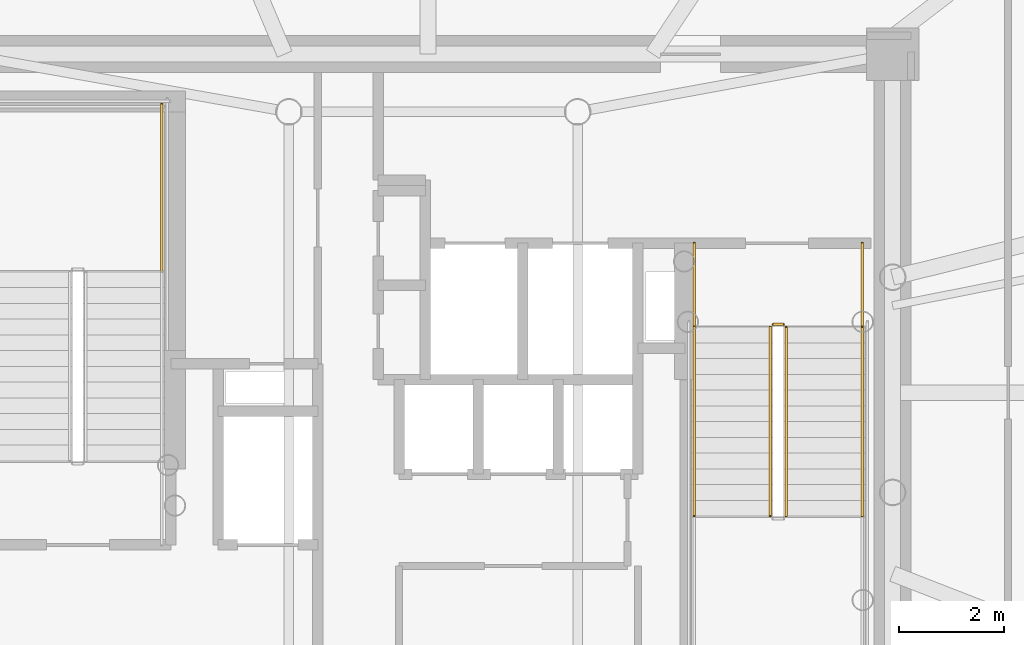
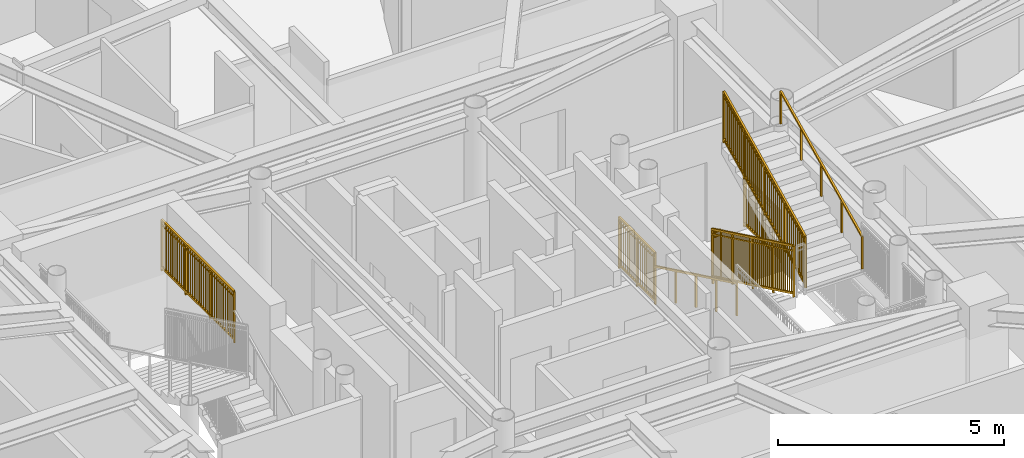
# One storey, part 17 of 18: 8 railings.
"""IFC4 building model written with IfcOpenShell, lengths in metres."""

from ifc_helpers import new_model, si_unit, direction, frame, origin, origin_2d, place, context, subcontext, project, spatial, rectangle, extrude, source, transform, mapped, material, type_object, element, save


model = new_model("IFC4")

# Units and contexts
model_context = context("Model", 3, precision=1e-05, world=origin(), true_north=direction((0.0, 1.0)))
body_context = subcontext(model_context, "Body", "Model", "MODEL_VIEW")
ifc_project = project(units=[si_unit("LENGTHUNIT", "METRE"), si_unit("AREAUNIT", "SQUARE_METRE"), si_unit("VOLUMEUNIT", "CUBIC_METRE"), si_unit("PLANEANGLEUNIT", "RADIAN"), si_unit("MASSUNIT", "GRAM", prefix="KILO")], contexts=[model_context])

# Site, building, storey
site_placement = place(None, origin())
site = spatial("IfcSite", under=ifc_project, at=site_placement, CompositionType="ELEMENT")
building_placement = place(site_placement, origin())
building = spatial("IfcBuilding", under=site, at=building_placement, Name="Linh Dai School and Residence Tower", CompositionType="ELEMENT")
storey_placement = place(building_placement, frame((0.0, 0.0, 291.75)))
storey = spatial("IfcBuildingStorey", under=building, at=storey_placement, Name="L72", CompositionType="ELEMENT", Elevation=291.75)

# Railings
ifc_material_1 = material(Name="Structural Steel S355JR", Category="steel")
railing_type_1 = type_object("IfcRailingType", Name="RL-ST-GUARD-1400", PredefinedType="GUARDRAIL", material=ifc_material_1)
shared_shape_1 = source(origin(), body_context, "Body", "SweptSolid", [
    extrude(rectangle(XDim=0.048095703125, YDim=0.048095703125, at=origin_2d()), frame((0.0, 0.0, 1.3759765625), z_axis=(0.0, 0.901262522062, 0.433273431364), x_axis=(-1.0, 0.0, 0.0)), (0.0, 0.0, 1.0), 3.994384765625),
    extrude(rectangle(XDim=0.048095703125, YDim=0.048095703125, at=origin_2d()), frame((0.0, 0.0, 0.10009765625), z_axis=(0.0, 0.901262522062, 0.433273431364), x_axis=(-1.0, 0.0, 0.0)), (0.0, 0.0, 1.0), 3.994384765625),
    extrude(rectangle(XDim=0.030029296875, YDim=0.030029296875, at=origin_2d()), frame((0.0, 0.0, 1.239990234375), z_axis=(0.0, 0.901262522062, 0.433273431364), x_axis=(-1.0, 0.0, 0.0)), (0.0, 0.0, 1.0), 3.994384765625),
    extrude(rectangle(XDim=0.02001953125, YDim=0.02001953125, at=origin_2d()), frame((0.0, 0.087890625, 0.142333984375)), (0.0, 0.0, 1.0), 1.251708984375),
    extrude(rectangle(XDim=0.02001953125, YDim=0.02001953125, at=origin_2d()), frame((0.0, 0.175537109375, 0.1845703125)), (0.0, 0.0, 1.0), 1.251708984375),
    extrude(rectangle(XDim=0.02001953125, YDim=0.02001953125, at=origin_2d()), frame((0.0, 0.263427734375, 0.226806640625)), (0.0, 0.0, 1.0), 1.251708984375),
    extrude(rectangle(XDim=0.02001953125, YDim=0.02001953125, at=origin_2d()), frame((0.0, 0.351318359375, 0.26904296875)), (0.0, 0.0, 1.0), 1.251708984375),
    extrude(rectangle(XDim=0.02001953125, YDim=0.02001953125, at=origin_2d()), frame((0.0, 0.43896484375, 0.311279296875)), (0.0, 0.0, 1.0), 1.251708984375),
    extrude(rectangle(XDim=0.02001953125, YDim=0.02001953125, at=origin_2d()), frame((0.0, 0.52685546875, 0.353271484375)), (0.0, 0.0, 1.0), 1.251708984375),
    extrude(rectangle(XDim=0.02001953125, YDim=0.02001953125, at=origin_2d()), frame((0.0, 0.61474609375, 0.3955078125)), (0.0, 0.0, 1.0), 1.251708984375),
    extrude(rectangle(XDim=0.02001953125, YDim=0.02001953125, at=origin_2d()), frame((0.0, 0.702392578125, 0.437744140625)), (0.0, 0.0, 1.0), 1.251708984375),
    extrude(rectangle(XDim=0.02001953125, YDim=0.02001953125, at=origin_2d()), frame((0.0, 0.790283203125, 0.47998046875)), (0.0, 0.0, 1.0), 1.251708984375),
    extrude(rectangle(XDim=0.02001953125, YDim=0.02001953125, at=origin_2d()), frame((0.0, 0.9658203125, 0.564453125)), (0.0, 0.0, 1.0), 1.251708984375),
    extrude(rectangle(XDim=0.02001953125, YDim=0.02001953125, at=origin_2d()), frame((0.0, 1.0537109375, 0.606689453125)), (0.0, 0.0, 1.0), 1.251708984375),
    extrude(rectangle(XDim=0.02001953125, YDim=0.02001953125, at=origin_2d()), frame((0.0, 1.1416015625, 0.64892578125)), (0.0, 0.0, 1.0), 1.251708984375),
    extrude(rectangle(XDim=0.02001953125, YDim=0.02001953125, at=origin_2d()), frame((0.0, 1.229248046875, 0.691162109375)), (0.0, 0.0, 1.0), 1.251708984375),
    extrude(rectangle(XDim=0.02001953125, YDim=0.02001953125, at=origin_2d()), frame((0.0, 1.317138671875, 0.7333984375)), (0.0, 0.0, 1.0), 1.251708984375),
    extrude(rectangle(XDim=0.02001953125, YDim=0.02001953125, at=origin_2d()), frame((0.0, 1.405029296875, 0.775390625)), (0.0, 0.0, 1.0), 1.251708984375),
    extrude(rectangle(XDim=0.02001953125, YDim=0.02001953125, at=origin_2d()), frame((0.0, 1.49267578125, 0.817626953125)), (0.0, 0.0, 1.0), 1.251708984375),
    extrude(rectangle(XDim=0.02001953125, YDim=0.02001953125, at=origin_2d()), frame((0.0, 1.58056640625, 0.85986328125)), (0.0, 0.0, 1.0), 1.251708984375),
    extrude(rectangle(XDim=0.02001953125, YDim=0.02001953125, at=origin_2d()), frame((0.0, 1.66845703125, 0.902099609375)), (0.0, 0.0, 1.0), 1.251708984375),
    extrude(rectangle(XDim=0.02001953125, YDim=0.02001953125, at=origin_2d()), frame((0.0, 1.756103515625, 0.9443359375)), (0.0, 0.0, 1.0), 1.251708984375),
    extrude(rectangle(XDim=0.02001953125, YDim=0.02001953125, at=origin_2d()), frame((0.0, 1.843994140625, 0.986572265625)), (0.0, 0.0, 1.0), 1.251708984375),
    extrude(rectangle(XDim=0.02001953125, YDim=0.02001953125, at=origin_2d()), frame((0.0, 1.931640625, 1.02880859375)), (0.0, 0.0, 1.0), 1.251708984375),
    extrude(rectangle(XDim=0.02001953125, YDim=0.02001953125, at=origin_2d()), frame((0.0, 2.01953125, 1.071044921875)), (0.0, 0.0, 1.0), 1.251708984375),
    extrude(rectangle(XDim=0.02001953125, YDim=0.02001953125, at=origin_2d()), frame((0.0, 2.107421875, 1.11328125)), (0.0, 0.0, 1.0), 1.251708984375),
    extrude(rectangle(XDim=0.02001953125, YDim=0.02001953125, at=origin_2d()), frame((0.0, 2.195068359375, 1.155517578125)), (0.0, 0.0, 1.0), 1.251708984375),
    extrude(rectangle(XDim=0.02001953125, YDim=0.02001953125, at=origin_2d()), frame((0.0, 2.282958984375, 1.197509765625)), (0.0, 0.0, 1.0), 1.251708984375),
    extrude(rectangle(XDim=0.02001953125, YDim=0.02001953125, at=origin_2d()), frame((0.0, 2.370849609375, 1.23974609375)), (0.0, 0.0, 1.0), 1.251708984375),
    extrude(rectangle(XDim=0.02001953125, YDim=0.02001953125, at=origin_2d()), frame((0.0, 2.45849609375, 1.281982421875)), (0.0, 0.0, 1.0), 1.251708984375),
    extrude(rectangle(XDim=0.02001953125, YDim=0.02001953125, at=origin_2d()), frame((0.0, 2.54638671875, 1.32421875)), (0.0, 0.0, 1.0), 1.251708984375),
    extrude(rectangle(XDim=0.02001953125, YDim=0.02001953125, at=origin_2d()), frame((0.0, 2.63427734375, 1.366455078125)), (0.0, 0.0, 1.0), 1.251708984375),
    extrude(rectangle(XDim=0.02001953125, YDim=0.02001953125, at=origin_2d()), frame((0.0, 2.809814453125, 1.450927734375)), (0.0, 0.0, 1.0), 1.251708984375),
    extrude(rectangle(XDim=0.02001953125, YDim=0.02001953125, at=origin_2d()), frame((0.0, 2.897705078125, 1.4931640625)), (0.0, 0.0, 1.0), 1.251708984375),
    extrude(rectangle(XDim=0.02001953125, YDim=0.02001953125, at=origin_2d()), frame((0.0, 2.9853515625, 1.535400390625)), (0.0, 0.0, 1.0), 1.251708984375),
    extrude(rectangle(XDim=0.02001953125, YDim=0.02001953125, at=origin_2d()), frame((0.0, 3.0732421875, 1.57763671875)), (0.0, 0.0, 1.0), 1.251708984375),
    extrude(rectangle(XDim=0.02001953125, YDim=0.02001953125, at=origin_2d()), frame((0.0, 3.1611328125, 1.61962890625)), (0.0, 0.0, 1.0), 1.251708984375),
    extrude(rectangle(XDim=0.02001953125, YDim=0.02001953125, at=origin_2d()), frame((0.0, 3.248779296875, 1.661865234375)), (0.0, 0.0, 1.0), 1.251708984375),
    extrude(rectangle(XDim=0.02001953125, YDim=0.02001953125, at=origin_2d()), frame((0.0, 3.336669921875, 1.7041015625)), (0.0, 0.0, 1.0), 1.251708984375),
    extrude(rectangle(XDim=0.02001953125, YDim=0.02001953125, at=origin_2d()), frame((0.0, 3.424560546875, 1.746337890625)), (0.0, 0.0, 1.0), 1.251708984375),
    extrude(rectangle(XDim=0.02001953125, YDim=0.02001953125, at=origin_2d()), frame((0.0, 3.51220703125, 1.78857421875)), (0.0, 0.0, 1.0), 1.251708984375),
    extrude(rectangle(XDim=0.0419921875, YDim=0.0419921875, at=origin_2d()), origin(), (0.0, 0.0, 1.0), 1.3759765625),
    extrude(rectangle(XDim=0.0419921875, YDim=0.0419921875, at=origin_2d()), frame((0.0, 0.89990234375, 0.4326171875)), (0.0, 0.0, 1.0), 1.3759765625),
    extrude(rectangle(XDim=0.0419921875, YDim=0.0419921875, at=origin_2d()), frame((0.0, 1.800048828125, 0.865234375)), (0.0, 0.0, 1.0), 1.3759765625),
    extrude(rectangle(XDim=0.0419921875, YDim=0.0419921875, at=origin_2d()), frame((0.0, 2.7001953125, 1.298095703125)), (0.0, 0.0, 1.0), 1.3759765625),
    extrude(rectangle(XDim=0.0419921875, YDim=0.0419921875, at=origin_2d()), frame((0.0, 3.60009765625, 1.730712890625)), (0.0, 0.0, 1.0), 1.3759765625),
])
railing_1_placement = place(storey_placement, frame((42.820068359375, 24.64990234375, 2.019287109375)))
element("IfcRailing", 1, at=railing_1_placement, inside=storey, type_object=railing_type_1, Name="L72 ST2 stair guard 6", PredefinedType="GUARDRAIL", context=body_context, shape_type="MappedRepresentation", body=[
    mapped(shared_shape_1, transform((0.0, 0.0, 0.0), x_axis=(1.0, 0.0, 0.0), y_axis=(0.0, 1.0, 0.0), z_axis=(0.0, 0.0, 1.0), scale=1.0)),
])
shared_shape_2 = source(origin(), body_context, "Body", "SweptSolid", [
    extrude(rectangle(XDim=0.048095703125, YDim=0.048095703125, at=origin_2d()), frame((0.0, 0.0, 1.3759765625), z_axis=(0.0, 1.0, 0.0), x_axis=(-1.0, 0.0, 0.0)), (0.0, 0.0, 1.0), 3.199951171875),
    extrude(rectangle(XDim=0.048095703125, YDim=0.048095703125, at=origin_2d()), frame((0.0, 0.0, 0.10009765625), z_axis=(0.0, 1.0, 0.0), x_axis=(-1.0, 0.0, 0.0)), (0.0, 0.0, 1.0), 3.199951171875),
    extrude(rectangle(XDim=0.030029296875, YDim=0.030029296875, at=origin_2d()), frame((0.0, 0.0, 1.239990234375), z_axis=(0.0, 1.0, 0.0), x_axis=(-1.0, 0.0, 0.0)), (0.0, 0.0, 1.0), 3.199951171875),
    extrude(rectangle(XDim=0.02001953125, YDim=0.02001953125, at=origin_2d()), frame((0.0, 0.096923828125, 0.10009765625)), (0.0, 0.0, 1.0), 1.251708984375),
    extrude(rectangle(XDim=0.02001953125, YDim=0.02001953125, at=origin_2d()), frame((0.0, 0.19384765625, 0.10009765625)), (0.0, 0.0, 1.0), 1.251708984375),
    extrude(rectangle(XDim=0.02001953125, YDim=0.02001953125, at=origin_2d()), frame((0.0, 0.291015625, 0.10009765625)), (0.0, 0.0, 1.0), 1.251708984375),
    extrude(rectangle(XDim=0.02001953125, YDim=0.02001953125, at=origin_2d()), frame((0.0, 0.387939453125, 0.10009765625)), (0.0, 0.0, 1.0), 1.251708984375),
    extrude(rectangle(XDim=0.02001953125, YDim=0.02001953125, at=origin_2d()), frame((0.0, 0.48486328125, 0.10009765625)), (0.0, 0.0, 1.0), 1.251708984375),
    extrude(rectangle(XDim=0.02001953125, YDim=0.02001953125, at=origin_2d()), frame((0.0, 0.581787109375, 0.10009765625)), (0.0, 0.0, 1.0), 1.251708984375),
    extrude(rectangle(XDim=0.02001953125, YDim=0.02001953125, at=origin_2d()), frame((0.0, 0.6787109375, 0.10009765625)), (0.0, 0.0, 1.0), 1.251708984375),
    extrude(rectangle(XDim=0.02001953125, YDim=0.02001953125, at=origin_2d()), frame((0.0, 0.775634765625, 0.10009765625)), (0.0, 0.0, 1.0), 1.251708984375),
    extrude(rectangle(XDim=0.02001953125, YDim=0.02001953125, at=origin_2d()), frame((0.0, 0.872802734375, 0.10009765625)), (0.0, 0.0, 1.0), 1.251708984375),
    extrude(rectangle(XDim=0.02001953125, YDim=0.02001953125, at=origin_2d()), frame((0.0, 0.9697265625, 0.10009765625)), (0.0, 0.0, 1.0), 1.251708984375),
    extrude(rectangle(XDim=0.02001953125, YDim=0.02001953125, at=origin_2d()), frame((0.0, 1.16357421875, 0.10009765625)), (0.0, 0.0, 1.0), 1.251708984375),
    extrude(rectangle(XDim=0.02001953125, YDim=0.02001953125, at=origin_2d()), frame((0.0, 1.260498046875, 0.10009765625)), (0.0, 0.0, 1.0), 1.251708984375),
    extrude(rectangle(XDim=0.02001953125, YDim=0.02001953125, at=origin_2d()), frame((0.0, 1.357666015625, 0.10009765625)), (0.0, 0.0, 1.0), 1.251708984375),
    extrude(rectangle(XDim=0.02001953125, YDim=0.02001953125, at=origin_2d()), frame((0.0, 1.45458984375, 0.10009765625)), (0.0, 0.0, 1.0), 1.251708984375),
    extrude(rectangle(XDim=0.02001953125, YDim=0.02001953125, at=origin_2d()), frame((0.0, 1.551513671875, 0.10009765625)), (0.0, 0.0, 1.0), 1.251708984375),
    extrude(rectangle(XDim=0.02001953125, YDim=0.02001953125, at=origin_2d()), frame((0.0, 1.6484375, 0.10009765625)), (0.0, 0.0, 1.0), 1.251708984375),
    extrude(rectangle(XDim=0.02001953125, YDim=0.02001953125, at=origin_2d()), frame((0.0, 1.745361328125, 0.10009765625)), (0.0, 0.0, 1.0), 1.251708984375),
    extrude(rectangle(XDim=0.02001953125, YDim=0.02001953125, at=origin_2d()), frame((0.0, 1.84228515625, 0.10009765625)), (0.0, 0.0, 1.0), 1.251708984375),
    extrude(rectangle(XDim=0.02001953125, YDim=0.02001953125, at=origin_2d()), frame((0.0, 1.939453125, 0.10009765625)), (0.0, 0.0, 1.0), 1.251708984375),
    extrude(rectangle(XDim=0.02001953125, YDim=0.02001953125, at=origin_2d()), frame((0.0, 2.036376953125, 0.10009765625)), (0.0, 0.0, 1.0), 1.251708984375),
    extrude(rectangle(XDim=0.02001953125, YDim=0.02001953125, at=origin_2d()), frame((0.0, 2.230224609375, 0.10009765625)), (0.0, 0.0, 1.0), 1.251708984375),
    extrude(rectangle(XDim=0.02001953125, YDim=0.02001953125, at=origin_2d()), frame((0.0, 2.3271484375, 0.10009765625)), (0.0, 0.0, 1.0), 1.251708984375),
    extrude(rectangle(XDim=0.02001953125, YDim=0.02001953125, at=origin_2d()), frame((0.0, 2.42431640625, 0.10009765625)), (0.0, 0.0, 1.0), 1.251708984375),
    extrude(rectangle(XDim=0.02001953125, YDim=0.02001953125, at=origin_2d()), frame((0.0, 2.521240234375, 0.10009765625)), (0.0, 0.0, 1.0), 1.251708984375),
    extrude(rectangle(XDim=0.02001953125, YDim=0.02001953125, at=origin_2d()), frame((0.0, 2.6181640625, 0.10009765625)), (0.0, 0.0, 1.0), 1.251708984375),
    extrude(rectangle(XDim=0.02001953125, YDim=0.02001953125, at=origin_2d()), frame((0.0, 2.715087890625, 0.10009765625)), (0.0, 0.0, 1.0), 1.251708984375),
    extrude(rectangle(XDim=0.02001953125, YDim=0.02001953125, at=origin_2d()), frame((0.0, 2.81201171875, 0.10009765625)), (0.0, 0.0, 1.0), 1.251708984375),
    extrude(rectangle(XDim=0.02001953125, YDim=0.02001953125, at=origin_2d()), frame((0.0, 2.908935546875, 0.10009765625)), (0.0, 0.0, 1.0), 1.251708984375),
    extrude(rectangle(XDim=0.02001953125, YDim=0.02001953125, at=origin_2d()), frame((0.0, 3.006103515625, 0.10009765625)), (0.0, 0.0, 1.0), 1.251708984375),
    extrude(rectangle(XDim=0.02001953125, YDim=0.02001953125, at=origin_2d()), frame((0.0, 3.10302734375, 0.10009765625)), (0.0, 0.0, 1.0), 1.251708984375),
    extrude(rectangle(XDim=0.0419921875, YDim=0.0419921875, at=origin_2d()), origin(), (0.0, 0.0, 1.0), 1.3759765625),
    extrude(rectangle(XDim=0.0419921875, YDim=0.0419921875, at=origin_2d()), frame((0.0, 1.066650390625, 0.0)), (0.0, 0.0, 1.0), 1.3759765625),
    extrude(rectangle(XDim=0.0419921875, YDim=0.0419921875, at=origin_2d()), frame((0.0, 2.13330078125, 0.0)), (0.0, 0.0, 1.0), 1.3759765625),
    extrude(rectangle(XDim=0.0419921875, YDim=0.0419921875, at=origin_2d()), frame((0.0, 3.199951171875, 0.0)), (0.0, 0.0, 1.0), 1.3759765625),
])
railing_2_placement = place(storey_placement, frame((30.929931640625, 29.300048828125, 1.875)))
element("IfcRailing", 2, at=railing_2_placement, inside=storey, type_object=railing_type_1, Name="L72 ST1 stair guard 3", PredefinedType="GUARDRAIL", context=body_context, shape_type="MappedRepresentation", body=[
    mapped(shared_shape_2, transform((0.0, 0.0, 0.0), x_axis=(1.0, 0.0, 0.0), y_axis=(0.0, 1.0, 0.0), z_axis=(0.0, 0.0, 1.0), scale=1.0)),
])
shared_shape_3 = source(origin(), body_context, "Body", "SweptSolid", [
    extrude(rectangle(XDim=0.048095703125, YDim=0.048095703125, at=origin_2d()), frame((0.0, 0.0, 1.3759765625), z_axis=(0.0, -0.901262522062, 0.433273431364), x_axis=(1.0, 0.0, 0.0)), (0.0, 0.0, 1.0), 3.994384765625),
    extrude(rectangle(XDim=0.048095703125, YDim=0.048095703125, at=origin_2d()), frame((0.0, 0.0, 0.10009765625), z_axis=(0.0, -0.901262522062, 0.433273431364), x_axis=(1.0, 0.0, 0.0)), (0.0, 0.0, 1.0), 3.994384765625),
    extrude(rectangle(XDim=0.030029296875, YDim=0.030029296875, at=origin_2d()), frame((0.0, 0.0, 1.239990234375), z_axis=(0.0, -0.901262522062, 0.433273431364), x_axis=(1.0, 0.0, 0.0)), (0.0, 0.0, 1.0), 3.994384765625),
    extrude(rectangle(XDim=0.02001953125, YDim=0.02001953125, at=origin_2d()), frame((0.0, -0.087890625, 0.142333984375)), (0.0, 0.0, 1.0), 1.251708984375),
    extrude(rectangle(XDim=0.02001953125, YDim=0.02001953125, at=origin_2d()), frame((0.0, -0.175537109375, 0.1845703125)), (0.0, 0.0, 1.0), 1.251708984375),
    extrude(rectangle(XDim=0.02001953125, YDim=0.02001953125, at=origin_2d()), frame((0.0, -0.263427734375, 0.226806640625)), (0.0, 0.0, 1.0), 1.251708984375),
    extrude(rectangle(XDim=0.02001953125, YDim=0.02001953125, at=origin_2d()), frame((0.0, -0.351318359375, 0.26904296875)), (0.0, 0.0, 1.0), 1.251708984375),
    extrude(rectangle(XDim=0.02001953125, YDim=0.02001953125, at=origin_2d()), frame((0.0, -0.43896484375, 0.311279296875)), (0.0, 0.0, 1.0), 1.251708984375),
    extrude(rectangle(XDim=0.02001953125, YDim=0.02001953125, at=origin_2d()), frame((0.0, -0.52685546875, 0.353271484375)), (0.0, 0.0, 1.0), 1.251708984375),
    extrude(rectangle(XDim=0.02001953125, YDim=0.02001953125, at=origin_2d()), frame((0.0, -0.61474609375, 0.3955078125)), (0.0, 0.0, 1.0), 1.251708984375),
    extrude(rectangle(XDim=0.02001953125, YDim=0.02001953125, at=origin_2d()), frame((0.0, -0.702392578125, 0.437744140625)), (0.0, 0.0, 1.0), 1.251708984375),
    extrude(rectangle(XDim=0.02001953125, YDim=0.02001953125, at=origin_2d()), frame((0.0, -0.790283203125, 0.47998046875)), (0.0, 0.0, 1.0), 1.251708984375),
    extrude(rectangle(XDim=0.02001953125, YDim=0.02001953125, at=origin_2d()), frame((0.0, -0.9658203125, 0.564453125)), (0.0, 0.0, 1.0), 1.251708984375),
    extrude(rectangle(XDim=0.02001953125, YDim=0.02001953125, at=origin_2d()), frame((0.0, -1.0537109375, 0.606689453125)), (0.0, 0.0, 1.0), 1.251708984375),
    extrude(rectangle(XDim=0.02001953125, YDim=0.02001953125, at=origin_2d()), frame((0.0, -1.1416015625, 0.64892578125)), (0.0, 0.0, 1.0), 1.251708984375),
    extrude(rectangle(XDim=0.02001953125, YDim=0.02001953125, at=origin_2d()), frame((0.0, -1.229248046875, 0.691162109375)), (0.0, 0.0, 1.0), 1.251708984375),
    extrude(rectangle(XDim=0.02001953125, YDim=0.02001953125, at=origin_2d()), frame((0.0, -1.317138671875, 0.7333984375)), (0.0, 0.0, 1.0), 1.251708984375),
    extrude(rectangle(XDim=0.02001953125, YDim=0.02001953125, at=origin_2d()), frame((0.0, -1.405029296875, 0.775390625)), (0.0, 0.0, 1.0), 1.251708984375),
    extrude(rectangle(XDim=0.02001953125, YDim=0.02001953125, at=origin_2d()), frame((0.0, -1.49267578125, 0.817626953125)), (0.0, 0.0, 1.0), 1.251708984375),
    extrude(rectangle(XDim=0.02001953125, YDim=0.02001953125, at=origin_2d()), frame((0.0, -1.58056640625, 0.85986328125)), (0.0, 0.0, 1.0), 1.251708984375),
    extrude(rectangle(XDim=0.02001953125, YDim=0.02001953125, at=origin_2d()), frame((0.0, -1.66845703125, 0.902099609375)), (0.0, 0.0, 1.0), 1.251708984375),
    extrude(rectangle(XDim=0.02001953125, YDim=0.02001953125, at=origin_2d()), frame((0.0, -1.756103515625, 0.9443359375)), (0.0, 0.0, 1.0), 1.251708984375),
    extrude(rectangle(XDim=0.02001953125, YDim=0.02001953125, at=origin_2d()), frame((0.0, -1.843994140625, 0.986572265625)), (0.0, 0.0, 1.0), 1.251708984375),
    extrude(rectangle(XDim=0.02001953125, YDim=0.02001953125, at=origin_2d()), frame((0.0, -1.931640625, 1.02880859375)), (0.0, 0.0, 1.0), 1.251708984375),
    extrude(rectangle(XDim=0.02001953125, YDim=0.02001953125, at=origin_2d()), frame((0.0, -2.01953125, 1.071044921875)), (0.0, 0.0, 1.0), 1.251708984375),
    extrude(rectangle(XDim=0.02001953125, YDim=0.02001953125, at=origin_2d()), frame((0.0, -2.107421875, 1.11328125)), (0.0, 0.0, 1.0), 1.251708984375),
    extrude(rectangle(XDim=0.02001953125, YDim=0.02001953125, at=origin_2d()), frame((0.0, -2.195068359375, 1.155517578125)), (0.0, 0.0, 1.0), 1.251708984375),
    extrude(rectangle(XDim=0.02001953125, YDim=0.02001953125, at=origin_2d()), frame((0.0, -2.282958984375, 1.197509765625)), (0.0, 0.0, 1.0), 1.251708984375),
    extrude(rectangle(XDim=0.02001953125, YDim=0.02001953125, at=origin_2d()), frame((0.0, -2.370849609375, 1.23974609375)), (0.0, 0.0, 1.0), 1.251708984375),
    extrude(rectangle(XDim=0.02001953125, YDim=0.02001953125, at=origin_2d()), frame((0.0, -2.45849609375, 1.281982421875)), (0.0, 0.0, 1.0), 1.251708984375),
    extrude(rectangle(XDim=0.02001953125, YDim=0.02001953125, at=origin_2d()), frame((0.0, -2.54638671875, 1.32421875)), (0.0, 0.0, 1.0), 1.251708984375),
    extrude(rectangle(XDim=0.02001953125, YDim=0.02001953125, at=origin_2d()), frame((0.0, -2.63427734375, 1.366455078125)), (0.0, 0.0, 1.0), 1.251708984375),
    extrude(rectangle(XDim=0.02001953125, YDim=0.02001953125, at=origin_2d()), frame((0.0, -2.809814453125, 1.450927734375)), (0.0, 0.0, 1.0), 1.251708984375),
    extrude(rectangle(XDim=0.02001953125, YDim=0.02001953125, at=origin_2d()), frame((0.0, -2.897705078125, 1.4931640625)), (0.0, 0.0, 1.0), 1.251708984375),
    extrude(rectangle(XDim=0.02001953125, YDim=0.02001953125, at=origin_2d()), frame((0.0, -2.9853515625, 1.535400390625)), (0.0, 0.0, 1.0), 1.251708984375),
    extrude(rectangle(XDim=0.02001953125, YDim=0.02001953125, at=origin_2d()), frame((0.0, -3.0732421875, 1.57763671875)), (0.0, 0.0, 1.0), 1.251708984375),
    extrude(rectangle(XDim=0.02001953125, YDim=0.02001953125, at=origin_2d()), frame((0.0, -3.1611328125, 1.61962890625)), (0.0, 0.0, 1.0), 1.251708984375),
    extrude(rectangle(XDim=0.02001953125, YDim=0.02001953125, at=origin_2d()), frame((0.0, -3.248779296875, 1.661865234375)), (0.0, 0.0, 1.0), 1.251708984375),
    extrude(rectangle(XDim=0.02001953125, YDim=0.02001953125, at=origin_2d()), frame((0.0, -3.336669921875, 1.7041015625)), (0.0, 0.0, 1.0), 1.251708984375),
    extrude(rectangle(XDim=0.02001953125, YDim=0.02001953125, at=origin_2d()), frame((0.0, -3.424560546875, 1.746337890625)), (0.0, 0.0, 1.0), 1.251708984375),
    extrude(rectangle(XDim=0.02001953125, YDim=0.02001953125, at=origin_2d()), frame((0.0, -3.51220703125, 1.78857421875)), (0.0, 0.0, 1.0), 1.251708984375),
    extrude(rectangle(XDim=0.0419921875, YDim=0.0419921875, at=origin_2d()), origin(), (0.0, 0.0, 1.0), 1.3759765625),
    extrude(rectangle(XDim=0.0419921875, YDim=0.0419921875, at=origin_2d()), frame((0.0, -0.89990234375, 0.4326171875)), (0.0, 0.0, 1.0), 1.3759765625),
    extrude(rectangle(XDim=0.0419921875, YDim=0.0419921875, at=origin_2d()), frame((0.0, -1.800048828125, 0.865234375)), (0.0, 0.0, 1.0), 1.3759765625),
    extrude(rectangle(XDim=0.0419921875, YDim=0.0419921875, at=origin_2d()), frame((0.0, -2.7001953125, 1.298095703125)), (0.0, 0.0, 1.0), 1.3759765625),
    extrude(rectangle(XDim=0.0419921875, YDim=0.0419921875, at=origin_2d()), frame((0.0, -3.60009765625, 1.730712890625)), (0.0, 0.0, 1.0), 1.3759765625),
])
railing_3_placement = place(storey_placement, frame((42.52001953125, 28.25, 0.144287109375)))
element("IfcRailing", 3, at=railing_3_placement, inside=storey, type_object=railing_type_1, Name="L72 ST2 stair guard 1", PredefinedType="GUARDRAIL", context=body_context, shape_type="MappedRepresentation", body=[
    mapped(shared_shape_3, transform((0.0, 0.0, 0.0), x_axis=(1.0, 0.0, 0.0), y_axis=(0.0, 1.0, 0.0), z_axis=(0.0, 0.0, 1.0), scale=1.0)),
])
ifc_material_2 = material(Name="Brushed Stainless Steel Handrail", Category="steel")
railing_type_2 = type_object("IfcRailingType", Name="RL-ST-HANDRAIL-900", PredefinedType="HANDRAIL", material=ifc_material_2)
shared_shape_4 = source(origin(), body_context, "Body", "SweptSolid", [
    extrude(rectangle(XDim=0.048095703125, YDim=0.048095703125, at=origin_2d()), frame((0.0, 0.0, 0.8759765625), z_axis=(0.0, 0.901262522062, 0.433273431364), x_axis=(-1.0, 0.0, 0.0)), (0.0, 0.0, 1.0), 3.994384765625),
    extrude(rectangle(XDim=0.0419921875, YDim=0.0419921875, at=origin_2d()), origin(), (0.0, 0.0, 1.0), 0.8759765625),
    extrude(rectangle(XDim=0.0419921875, YDim=0.0419921875, at=origin_2d()), frame((0.0, 0.89990234375, 0.4326171875)), (0.0, 0.0, 1.0), 0.8759765625),
    extrude(rectangle(XDim=0.0419921875, YDim=0.0419921875, at=origin_2d()), frame((0.0, 1.800048828125, 0.865234375)), (0.0, 0.0, 1.0), 0.8759765625),
    extrude(rectangle(XDim=0.0419921875, YDim=0.0419921875, at=origin_2d()), frame((0.0, 2.7001953125, 1.298095703125)), (0.0, 0.0, 1.0), 0.8759765625),
    extrude(rectangle(XDim=0.0419921875, YDim=0.0419921875, at=origin_2d()), frame((0.0, 3.60009765625, 1.730712890625)), (0.0, 0.0, 1.0), 0.8759765625),
])
railing_4_placement = place(storey_placement, frame((44.27001953125, 24.64990234375, 2.019287109375)))
element("IfcRailing", 4, at=railing_4_placement, inside=storey, type_object=railing_type_2, Name="L72 ST2 stair handrail 2", PredefinedType="HANDRAIL", context=body_context, shape_type="MappedRepresentation", body=[
    mapped(shared_shape_4, transform((0.0, 0.0, 0.0), x_axis=(1.0, 0.0, 0.0), y_axis=(0.0, 1.0, 0.0), z_axis=(0.0, 0.0, 1.0), scale=1.0)),
])
shared_shape_5 = source(origin(), body_context, "Body", "SweptSolid", [
    extrude(rectangle(XDim=0.048095703125, YDim=0.048095703125, at=origin_2d()), frame((0.0, 0.0, 0.8759765625), z_axis=(0.0, -0.901262522062, 0.433273431364), x_axis=(1.0, 0.0, 0.0)), (0.0, 0.0, 1.0), 3.994384765625),
    extrude(rectangle(XDim=0.0419921875, YDim=0.0419921875, at=origin_2d()), origin(), (0.0, 0.0, 1.0), 0.8759765625),
    extrude(rectangle(XDim=0.0419921875, YDim=0.0419921875, at=origin_2d()), frame((0.0, -0.89990234375, 0.4326171875)), (0.0, 0.0, 1.0), 0.8759765625),
    extrude(rectangle(XDim=0.0419921875, YDim=0.0419921875, at=origin_2d()), frame((0.0, -1.800048828125, 0.865234375)), (0.0, 0.0, 1.0), 0.8759765625),
    extrude(rectangle(XDim=0.0419921875, YDim=0.0419921875, at=origin_2d()), frame((0.0, -2.7001953125, 1.298095703125)), (0.0, 0.0, 1.0), 0.8759765625),
    extrude(rectangle(XDim=0.0419921875, YDim=0.0419921875, at=origin_2d()), frame((0.0, -3.60009765625, 1.730712890625)), (0.0, 0.0, 1.0), 0.8759765625),
])
railing_5_placement = place(storey_placement, frame((41.070068359375, 28.25, 0.144287109375)))
element("IfcRailing", 5, at=railing_5_placement, inside=storey, type_object=railing_type_2, Name="L72 ST2 stair handrail 1", PredefinedType="HANDRAIL", context=body_context, shape_type="MappedRepresentation", body=[
    mapped(shared_shape_5, transform((0.0, 0.0, 0.0), x_axis=(1.0, 0.0, 0.0), y_axis=(0.0, 1.0, 0.0), z_axis=(0.0, 0.0, 1.0), scale=1.0)),
])
shared_shape_6 = source(origin(), body_context, "Body", "SweptSolid", [
    extrude(rectangle(XDim=0.048095703125, YDim=0.048095703125, at=origin_2d()), frame((0.0, 0.0, 1.3759765625), z_axis=(1.0, 0.0, 0.0), x_axis=(0.0, 1.0, 0.0)), (0.0, 0.0, 1.0), 0.199951171875),
    extrude(rectangle(XDim=0.048095703125, YDim=0.048095703125, at=origin_2d()), frame((0.0, 0.0, 0.10009765625), z_axis=(1.0, 0.0, 0.0), x_axis=(0.0, 1.0, 0.0)), (0.0, 0.0, 1.0), 0.199951171875),
    extrude(rectangle(XDim=0.030029296875, YDim=0.030029296875, at=origin_2d()), frame((0.0, 0.0, 1.239990234375), z_axis=(1.0, 0.0, 0.0), x_axis=(0.0, 1.0, 0.0)), (0.0, 0.0, 1.0), 0.199951171875),
    extrude(rectangle(XDim=0.0419921875, YDim=0.0419921875, at=origin_2d()), origin(), (0.0, 0.0, 1.0), 1.3759765625),
    extrude(rectangle(XDim=0.0419921875, YDim=0.0419921875, at=origin_2d()), frame((0.199951171875, 0.0, 0.0)), (0.0, 0.0, 1.0), 1.3759765625),
])
railing_6_placement = place(storey_placement, frame((42.570068359375, 28.300048828125, 0.0)))
element("IfcRailing", 6, at=railing_6_placement, inside=storey, type_object=railing_type_1, Name="L72 ST2 stair guard 7", PredefinedType="GUARDRAIL", context=body_context, shape_type="MappedRepresentation", body=[
    mapped(shared_shape_6, transform((0.0, 0.0, 0.0), x_axis=(1.0, 0.0, 0.0), y_axis=(0.0, 1.0, 0.0), z_axis=(0.0, 0.0, 1.0), scale=1.0)),
])
shared_shape_7 = source(origin(), body_context, "Body", "SweptSolid", [
    extrude(rectangle(XDim=0.048095703125, YDim=0.048095703125, at=origin_2d()), frame((0.0, 0.0, 1.3759765625), z_axis=(0.0, -1.0, 0.0), x_axis=(1.0, 0.0, 0.0)), (0.0, 0.0, 1.0), 1.60009765625),
    extrude(rectangle(XDim=0.048095703125, YDim=0.048095703125, at=origin_2d()), frame((0.0, 0.0, 0.10009765625), z_axis=(0.0, -1.0, 0.0), x_axis=(1.0, 0.0, 0.0)), (0.0, 0.0, 1.0), 1.60009765625),
    extrude(rectangle(XDim=0.030029296875, YDim=0.030029296875, at=origin_2d()), frame((0.0, 0.0, 1.239990234375), z_axis=(0.0, -1.0, 0.0), x_axis=(1.0, 0.0, 0.0)), (0.0, 0.0, 1.0), 1.60009765625),
    extrude(rectangle(XDim=0.02001953125, YDim=0.02001953125, at=origin_2d()), frame((0.0, -0.09423828125, 0.10009765625)), (0.0, 0.0, 1.0), 1.251708984375),
    extrude(rectangle(XDim=0.02001953125, YDim=0.02001953125, at=origin_2d()), frame((0.0, -0.188232421875, 0.10009765625)), (0.0, 0.0, 1.0), 1.251708984375),
    extrude(rectangle(XDim=0.02001953125, YDim=0.02001953125, at=origin_2d()), frame((0.0, -0.282470703125, 0.10009765625)), (0.0, 0.0, 1.0), 1.251708984375),
    extrude(rectangle(XDim=0.02001953125, YDim=0.02001953125, at=origin_2d()), frame((0.0, -0.37646484375, 0.10009765625)), (0.0, 0.0, 1.0), 1.251708984375),
    extrude(rectangle(XDim=0.02001953125, YDim=0.02001953125, at=origin_2d()), frame((0.0, -0.470703125, 0.10009765625)), (0.0, 0.0, 1.0), 1.251708984375),
    extrude(rectangle(XDim=0.02001953125, YDim=0.02001953125, at=origin_2d()), frame((0.0, -0.564697265625, 0.10009765625)), (0.0, 0.0, 1.0), 1.251708984375),
    extrude(rectangle(XDim=0.02001953125, YDim=0.02001953125, at=origin_2d()), frame((0.0, -0.658935546875, 0.10009765625)), (0.0, 0.0, 1.0), 1.251708984375),
    extrude(rectangle(XDim=0.02001953125, YDim=0.02001953125, at=origin_2d()), frame((0.0, -0.7529296875, 0.10009765625)), (0.0, 0.0, 1.0), 1.251708984375),
    extrude(rectangle(XDim=0.02001953125, YDim=0.02001953125, at=origin_2d()), frame((0.0, -0.84716796875, 0.10009765625)), (0.0, 0.0, 1.0), 1.251708984375),
    extrude(rectangle(XDim=0.02001953125, YDim=0.02001953125, at=origin_2d()), frame((0.0, -0.941162109375, 0.10009765625)), (0.0, 0.0, 1.0), 1.251708984375),
    extrude(rectangle(XDim=0.02001953125, YDim=0.02001953125, at=origin_2d()), frame((0.0, -1.035400390625, 0.10009765625)), (0.0, 0.0, 1.0), 1.251708984375),
    extrude(rectangle(XDim=0.02001953125, YDim=0.02001953125, at=origin_2d()), frame((0.0, -1.12939453125, 0.10009765625)), (0.0, 0.0, 1.0), 1.251708984375),
    extrude(rectangle(XDim=0.02001953125, YDim=0.02001953125, at=origin_2d()), frame((0.0, -1.2236328125, 0.10009765625)), (0.0, 0.0, 1.0), 1.251708984375),
    extrude(rectangle(XDim=0.02001953125, YDim=0.02001953125, at=origin_2d()), frame((0.0, -1.317626953125, 0.10009765625)), (0.0, 0.0, 1.0), 1.251708984375),
    extrude(rectangle(XDim=0.02001953125, YDim=0.02001953125, at=origin_2d()), frame((0.0, -1.411865234375, 0.10009765625)), (0.0, 0.0, 1.0), 1.251708984375),
    extrude(rectangle(XDim=0.02001953125, YDim=0.02001953125, at=origin_2d()), frame((0.0, -1.505859375, 0.10009765625)), (0.0, 0.0, 1.0), 1.251708984375),
    extrude(rectangle(XDim=0.0419921875, YDim=0.0419921875, at=origin_2d()), origin(), (0.0, 0.0, 1.0), 1.3759765625),
    extrude(rectangle(XDim=0.0419921875, YDim=0.0419921875, at=origin_2d()), frame((0.0, -0.800048828125, 0.0)), (0.0, 0.0, 1.0), 1.3759765625),
    extrude(rectangle(XDim=0.0419921875, YDim=0.0419921875, at=origin_2d()), frame((0.0, -1.60009765625, 0.0)), (0.0, 0.0, 1.0), 1.3759765625),
])
for number, where, name in (
    (7, (41.070068359375, 29.85009765625, 0.0), "L72 ST2 stair guard 8"),
    (8, (44.27001953125, 29.85009765625, 0.0), "L72 ST2 stair guard 9"),
):
    element("IfcRailing", number, at=place(storey_placement, frame(where)), inside=storey, type_object=railing_type_1, Name=name, PredefinedType="GUARDRAIL", context=body_context, shape_type="MappedRepresentation", body=[
        mapped(shared_shape_7, transform((0.0, 0.0, 0.0), x_axis=(1.0, 0.0, 0.0), y_axis=(0.0, 1.0, 0.0), z_axis=(0.0, 0.0, 1.0), scale=1.0)),
    ])

save(model, "model.ifc")
